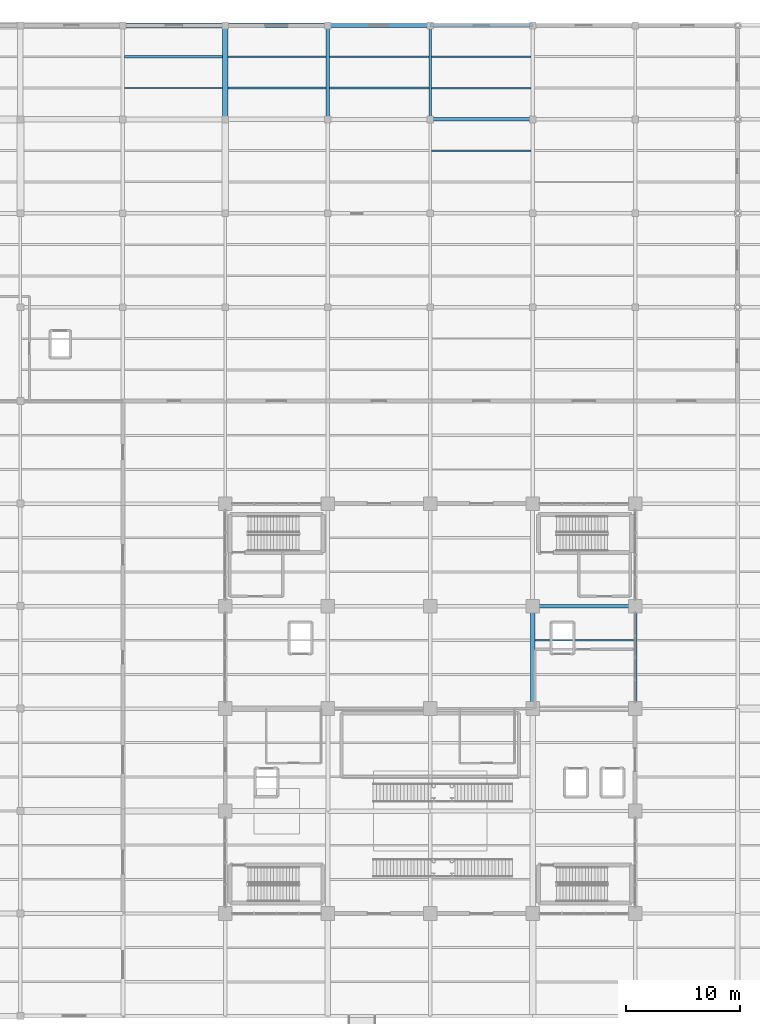
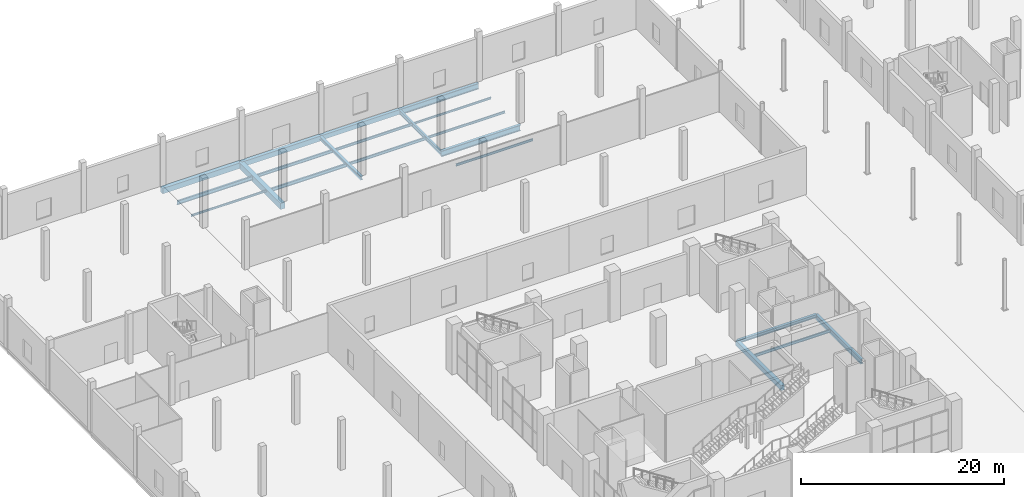
# One storey, part 61 of 144: 21 beams.
"""IFC4 building model written with IfcOpenShell, lengths in metres."""

from ifc_helpers import new_model, si_unit, direction, frame, origin, origin_2d, place, context, subcontext, project, spatial, rectangle, i_section, extrude, material, material_profile, profile_set, type_object, element, save


model = new_model("IFC4")

# Units and contexts
model_context = context("Model", 3, precision=1e-05, world=origin(), true_north=direction((0.0, 1.0)))
body_context = subcontext(model_context, "Body", "Model", "MODEL_VIEW")
ifc_project = project(units=[si_unit("LENGTHUNIT", "METRE"), si_unit("AREAUNIT", "SQUARE_METRE"), si_unit("VOLUMEUNIT", "CUBIC_METRE"), si_unit("PLANEANGLEUNIT", "RADIAN"), si_unit("MASSUNIT", "GRAM", prefix="KILO")], contexts=[model_context])

# Site, building, storey
site_placement = place(None, origin())
site = spatial("IfcSite", under=ifc_project, at=site_placement, CompositionType="ELEMENT")
building_placement = place(site_placement, origin())
building = spatial("IfcBuilding", under=site, at=building_placement, Name="Sundgate Opera House", CompositionType="ELEMENT")
storey_placement = place(building_placement, origin())
storey = spatial("IfcBuildingStorey", under=building, at=storey_placement, Name="L00", CompositionType="ELEMENT", Elevation=0.0)

# Beams
ifc_material_1 = material(Name="Steel S355J2", Category="steel")
ifc_material_profile_1 = material_profile(ifc_material_1, i_section(OverallWidth=0.300048828125, OverallDepth=0.389892578125, WebThickness=0.010986328125, FlangeThickness=0.01904296875, at=origin_2d()), Name="HEA 400")
ifc_profile_set_1 = profile_set([ifc_material_profile_1], Name="Steel S355J2")
beam_type_1 = type_object("IfcBeamType", Name="BM-GR-HEA400", PredefinedType="BEAM", material=ifc_profile_set_1)
beam_1_placement = place(storey_placement, frame((63.0, 69.0, -0.514892578125), z_axis=(1.0, 0.0, 0.0), x_axis=(0.0, 1.0, 0.0)))
element("IfcBeam", 1, at=beam_1_placement, inside=storey, type_object=beam_type_1, Name="L00 Primary E-W Girder B0465", PredefinedType="BEAM", context=body_context, shape_type="SweptSolid", body=[
    extrude(i_section(OverallWidth=0.300048828125, OverallDepth=0.389892578125, WebThickness=0.010986328125, FlangeThickness=0.01904296875, at=origin_2d()), origin(), (0.0, 0.0, 1.0), 9.0),
])
ifc_material_2 = material(Name="Steel S355J2", Category="steel")
ifc_material_profile_2 = material_profile(ifc_material_2, i_section(OverallWidth=0.300048828125, OverallDepth=0.590087890625, WebThickness=0.012939453125, FlangeThickness=0.02490234375, at=origin_2d()), Name="HEA 600")
ifc_profile_set_2 = profile_set([ifc_material_profile_2], Name="Steel S355J2")
beam_type_2 = type_object("IfcBeamType", Name="BM-GR-HEA600", PredefinedType="BEAM", material=ifc_profile_set_2)
beam_2_placement = place(storey_placement, frame((72.0, 60.0, -0.614990234375), z_axis=(0.0, 1.0, 0.0), x_axis=(-1.0, 0.0, 0.0)))
element("IfcBeam", 2, at=beam_2_placement, inside=storey, type_object=beam_type_2, Name="L00 Primary N-S Girder B0155", PredefinedType="BEAM", context=body_context, shape_type="SweptSolid", body=[
    extrude(i_section(OverallWidth=0.300048828125, OverallDepth=0.590087890625, WebThickness=0.012939453125, FlangeThickness=0.02490234375, at=origin_2d()), origin(), (0.0, 0.0, 1.0), 9.0),
])
ifc_material_3 = material(Name="Steel S355J2", Category="steel")
ifc_material_profile_3 = material_profile(ifc_material_3, i_section(OverallWidth=0.300048828125, OverallDepth=0.39990234375, WebThickness=0.013427734375, FlangeThickness=0.02392578125, at=origin_2d()), Name="HEB 400")
ifc_profile_set_3 = profile_set([ifc_material_profile_3], Name="Steel S355J2")
beam_type_3 = type_object("IfcBeamType", Name="BM-GR-HEB400", PredefinedType="BEAM", material=ifc_profile_set_3)
beam_3_placement = place(storey_placement, frame((45.0, 111.75, -0.52001953125), z_axis=(0.0, 1.0, 0.0), x_axis=(-1.0, 0.0, 0.0)))
element("IfcBeam", 3, at=beam_3_placement, inside=storey, type_object=beam_type_3, Name="L00 Primary N-S Girder B0131", PredefinedType="BEAM", context=body_context, shape_type="SweptSolid", body=[
    extrude(i_section(OverallWidth=0.300048828125, OverallDepth=0.39990234375, WebThickness=0.013427734375, FlangeThickness=0.02392578125, at=origin_2d()), origin(), (0.0, 0.0, 1.0), 8.25),
])
ifc_material_4 = material(Name="Steel S355J2", Category="steel")
ifc_material_profile_4 = material_profile(ifc_material_4, i_section(OverallWidth=0.300048828125, OverallDepth=0.699951171875, WebThickness=0.01708984375, FlangeThickness=0.031982421875, at=origin_2d()), Name="HEB 700")
ifc_profile_set_4 = profile_set([ifc_material_profile_4], Name="Steel S355J2")
beam_type_4 = type_object("IfcBeamType", Name="BM-GR-HEB700", PredefinedType="BEAM", material=ifc_profile_set_4)
for number, where, z_axis, x_axis, name in (
    (4, (54.0, 111.75, -0.669921875), (1.0, 0.0, 0.0), (0.0, 1.0, 0.0), "L00 Primary E-W Girder B0564"),
    (5, (54.0, 120.0, -0.669921875), (1.0, 0.0, 0.0), (0.0, 1.0, 0.0), "L00 Primary E-W Girder B0586"),
):
    element("IfcBeam", number, at=place(storey_placement, frame(where, z_axis=z_axis, x_axis=x_axis)), inside=storey, type_object=beam_type_4, Name=name, PredefinedType="BEAM", context=body_context, shape_type="SweptSolid", body=[
        extrude(i_section(OverallWidth=0.300048828125, OverallDepth=0.699951171875, WebThickness=0.01708984375, FlangeThickness=0.031982421875, at=origin_2d()), origin(), (0.0, 0.0, 1.0), 9.0),
    ])
ifc_material_5 = material(Name="Steel S355J2", Category="steel")
ifc_material_profile_5 = material_profile(ifc_material_5, i_section(OverallWidth=0.199951171875, OverallDepth=0.5, WebThickness=0.01025390625, FlangeThickness=0.01611328125, at=origin_2d()), Name="IPE 500")
ifc_profile_set_5 = profile_set([ifc_material_profile_5], Name="Steel S355J2")
beam_type_5 = type_object("IfcBeamType", Name="BM-GR-IPE500", PredefinedType="BEAM", material=ifc_profile_set_5)
beam_4_placement = place(storey_placement, frame((54.0, 111.75, -0.570068359375), z_axis=(0.0, 1.0, 0.0), x_axis=(-1.0, 0.0, 0.0)))
element("IfcBeam", 6, at=beam_4_placement, inside=storey, type_object=beam_type_5, Name="L00 Primary N-S Girder B0141", PredefinedType="BEAM", context=body_context, shape_type="SweptSolid", body=[
    extrude(i_section(OverallWidth=0.199951171875, OverallDepth=0.5, WebThickness=0.01025390625, FlangeThickness=0.01611328125, at=origin_2d()), origin(), (0.0, 0.0, 1.0), 8.25),
])
ifc_material_6 = material(Name="Steel S355J2", Category="steel")
ifc_material_profile_6 = material_profile(ifc_material_6, i_section(OverallWidth=0.1201171875, OverallDepth=0.239990234375, WebThickness=0.006103515625, FlangeThickness=0.009765625, at=origin_2d()), Name="IPE 240")
ifc_profile_set_6 = profile_set([ifc_material_profile_6], Name="Steel S355J2")
beam_type_6 = type_object("IfcBeamType", Name="BM-JS-IPE240", PredefinedType="JOIST", material=ifc_profile_set_6)
beam_5_placement = place(storey_placement, frame((27.14990234375, 114.5, -0.43994140625), z_axis=(1.0, 0.0, 0.0), x_axis=(0.0, 1.0, 0.0)))
element("IfcBeam", 7, at=beam_5_placement, inside=storey, type_object=beam_type_6, Name="L00 Secondary Floor Joist B1028", PredefinedType="JOIST", context=body_context, shape_type="SweptSolid", body=[
    extrude(i_section(OverallWidth=0.1201171875, OverallDepth=0.239990234375, WebThickness=0.006103515625, FlangeThickness=0.009765625, at=origin_2d()), origin(), (0.0, 0.0, 1.0), 8.60009765625),
])
beam_6_placement = place(storey_placement, frame((54.10009765625, 117.25, -0.43994140625), z_axis=(1.0, 0.0, 0.0), x_axis=(0.0, 1.0, 0.0)))
element("IfcBeam", 8, at=beam_6_placement, inside=storey, type_object=beam_type_6, Name="L00 Secondary Floor Joist B1035", PredefinedType="JOIST", context=body_context, shape_type="SweptSolid", body=[
    extrude(i_section(OverallWidth=0.1201171875, OverallDepth=0.239990234375, WebThickness=0.006103515625, FlangeThickness=0.009765625, at=origin_2d()), origin(), (0.0, 0.0, 1.0), 8.75),
])
ifc_material_7 = material(Name="Steel S355J2", Category="steel")
ifc_material_profile_7 = material_profile(ifc_material_7, i_section(OverallWidth=0.135009765625, OverallDepth=0.27001953125, WebThickness=0.006591796875, FlangeThickness=0.01025390625, at=origin_2d()), Name="IPE 270")
ifc_profile_set_7 = profile_set([ifc_material_profile_7], Name="Steel S355J2")
beam_type_7 = type_object("IfcBeamType", Name="BM-JS-IPE270", PredefinedType="JOIST", material=ifc_profile_set_7)
beam_7_placement = place(storey_placement, frame((54.10498046875, 109.0, -0.455078125), z_axis=(1.0, 0.0, 0.0), x_axis=(0.0, 1.0, 0.0)))
element("IfcBeam", 9, at=beam_7_placement, inside=storey, type_object=beam_type_7, Name="L00 Secondary Floor Joist B0999", PredefinedType="JOIST", context=body_context, shape_type="SweptSolid", body=[
    extrude(i_section(OverallWidth=0.135009765625, OverallDepth=0.27001953125, WebThickness=0.006591796875, FlangeThickness=0.01025390625, at=origin_2d()), origin(), (0.0, 0.0, 1.0), 8.7451171875),
])
beam_8_placement = place(storey_placement, frame((54.10009765625, 114.5, -0.455078125), z_axis=(1.0, 0.0, 0.0), x_axis=(0.0, 1.0, 0.0)))
element("IfcBeam", 10, at=beam_8_placement, inside=storey, type_object=beam_type_7, Name="L00 Secondary Floor Joist B1034", PredefinedType="JOIST", context=body_context, shape_type="SweptSolid", body=[
    extrude(i_section(OverallWidth=0.135009765625, OverallDepth=0.27001953125, WebThickness=0.006591796875, FlangeThickness=0.01025390625, at=origin_2d()), origin(), (0.0, 0.0, 1.0), 8.75),
])
ifc_material_8 = material(Name="Steel S355J2", Category="steel")
ifc_material_profile_8 = material_profile(ifc_material_8, i_section(OverallWidth=0.14990234375, OverallDepth=0.300048828125, WebThickness=0.007080078125, FlangeThickness=0.0107421875, at=origin_2d()), Name="IPE 300")
ifc_profile_set_8 = profile_set([ifc_material_profile_8], Name="Steel S355J2")
beam_type_8 = type_object("IfcBeamType", Name="BM-JS-IPE300", PredefinedType="JOIST", material=ifc_profile_set_8)
beam_9_placement = place(storey_placement, frame((45.14990234375, 117.25, -0.469970703125), z_axis=(1.0, 0.0, 0.0), x_axis=(0.0, 1.0, 0.0)))
element("IfcBeam", 11, at=beam_9_placement, inside=storey, type_object=beam_type_8, Name="L00 Secondary Floor Joist B1033", PredefinedType="JOIST", context=body_context, shape_type="SweptSolid", body=[
    extrude(i_section(OverallWidth=0.14990234375, OverallDepth=0.300048828125, WebThickness=0.007080078125, FlangeThickness=0.0107421875, at=origin_2d()), origin(), (0.0, 0.0, 1.0), 8.75),
])
ifc_material_9 = material(Name="Steel S355J2", Category="steel")
ifc_material_profile_9 = material_profile(ifc_material_9, i_section(OverallWidth=0.159912109375, OverallDepth=0.330078125, WebThickness=0.007568359375, FlangeThickness=0.011474609375, at=origin_2d()), Name="IPE 330")
ifc_profile_set_9 = profile_set([ifc_material_profile_9], Name="Steel S355J2")
beam_type_9 = type_object("IfcBeamType", Name="BM-JS-IPE330", PredefinedType="JOIST", material=ifc_profile_set_9)
beam_10_placement = place(storey_placement, frame((63.199951171875, 66.0, -0.485107421875), z_axis=(1.0, 0.0, 0.0), x_axis=(0.0, 1.0, 0.0)))
element("IfcBeam", 12, at=beam_10_placement, inside=storey, type_object=beam_type_9, Name="L00 Secondary Floor Joist B0815", PredefinedType="JOIST", context=body_context, shape_type="SweptSolid", body=[
    extrude(i_section(OverallWidth=0.159912109375, OverallDepth=0.330078125, WebThickness=0.007568359375, FlangeThickness=0.011474609375, at=origin_2d()), origin(), (0.0, 0.0, 1.0), 8.650146484375),
])
beam_11_placement = place(storey_placement, frame((45.14990234375, 114.5, -0.485107421875), z_axis=(1.0, 0.0, 0.0), x_axis=(0.0, 1.0, 0.0)))
element("IfcBeam", 13, at=beam_11_placement, inside=storey, type_object=beam_type_9, Name="L00 Secondary Floor Joist B1032", PredefinedType="JOIST", context=body_context, shape_type="SweptSolid", body=[
    extrude(i_section(OverallWidth=0.159912109375, OverallDepth=0.330078125, WebThickness=0.007568359375, FlangeThickness=0.011474609375, at=origin_2d()), origin(), (0.0, 0.0, 1.0), 8.75),
])
ifc_material_10 = material(Name="Steel S355J2", Category="steel")
ifc_material_profile_10 = material_profile(ifc_material_10, i_section(OverallWidth=0.169921875, OverallDepth=0.360107421875, WebThickness=0.008056640625, FlangeThickness=0.0126953125, at=origin_2d()), Name="IPE 360")
ifc_profile_set_10 = profile_set([ifc_material_profile_10], Name="Steel S355J2")
beam_type_10 = type_object("IfcBeamType", Name="BM-JS-IPE360", PredefinedType="JOIST", material=ifc_profile_set_10)
beam_12_placement = place(storey_placement, frame((36.25, 117.25, -0.5), z_axis=(1.0, 0.0, 0.0), x_axis=(0.0, 1.0, 0.0)))
element("IfcBeam", 14, at=beam_12_placement, inside=storey, type_object=beam_type_10, Name="L00 Secondary Floor Joist B1031", PredefinedType="JOIST", context=body_context, shape_type="SweptSolid", body=[
    extrude(i_section(OverallWidth=0.169921875, OverallDepth=0.360107421875, WebThickness=0.008056640625, FlangeThickness=0.0126953125, at=origin_2d()), origin(), (0.0, 0.0, 1.0), 8.60009765625),
])
ifc_material_11 = material(Name="Steel S355J2", Category="steel")
ifc_material_profile_11 = material_profile(ifc_material_11, i_section(OverallWidth=0.179931640625, OverallDepth=0.39990234375, WebThickness=0.008544921875, FlangeThickness=0.013427734375, at=origin_2d()), Name="IPE 400")
ifc_profile_set_11 = profile_set([ifc_material_profile_11], Name="Steel S355J2")
beam_type_11 = type_object("IfcBeamType", Name="BM-JS-IPE400", PredefinedType="JOIST", material=ifc_profile_set_11)
beam_13_placement = place(storey_placement, frame((36.25, 114.5, -0.52001953125), z_axis=(1.0, 0.0, 0.0), x_axis=(0.0, 1.0, 0.0)))
element("IfcBeam", 15, at=beam_13_placement, inside=storey, type_object=beam_type_11, Name="L00 Secondary Floor Joist B1030", PredefinedType="JOIST", context=body_context, shape_type="SweptSolid", body=[
    extrude(i_section(OverallWidth=0.179931640625, OverallDepth=0.39990234375, WebThickness=0.008544921875, FlangeThickness=0.013427734375, at=origin_2d()), origin(), (0.0, 0.0, 1.0), 8.60009765625),
])
ifc_material_12 = material(Name="Steel S355J2", Category="steel")
ifc_material_profile_12 = material_profile(ifc_material_12, i_section(OverallWidth=0.18994140625, OverallDepth=0.449951171875, WebThickness=0.009521484375, FlangeThickness=0.0146484375, at=origin_2d()), Name="IPE 450")
ifc_profile_set_12 = profile_set([ifc_material_profile_12], Name="Steel S355J2")
beam_type_12 = type_object("IfcBeamType", Name="BM-JS-IPE450", PredefinedType="JOIST", material=ifc_profile_set_12)
beam_14_placement = place(storey_placement, frame((27.14990234375, 117.25, -0.544921875), z_axis=(1.0, 0.0, 0.0), x_axis=(0.0, 1.0, 0.0)))
element("IfcBeam", 16, at=beam_14_placement, inside=storey, type_object=beam_type_12, Name="L00 Secondary Floor Joist B1029", PredefinedType="JOIST", context=body_context, shape_type="SweptSolid", body=[
    extrude(i_section(OverallWidth=0.18994140625, OverallDepth=0.449951171875, WebThickness=0.009521484375, FlangeThickness=0.0146484375, at=origin_2d()), origin(), (0.0, 0.0, 1.0), 8.60009765625),
])
ifc_material_13 = material(Name="Concrete C35/45", Category="concrete")
ifc_material_profile_13 = material_profile(ifc_material_13, rectangle(XDim=0.35009765625, YDim=0.550048828125, at=origin_2d()), Name="RC 350x550")
ifc_profile_set_13 = profile_set([ifc_material_profile_13], Name="Concrete C35/45")
beam_type_13 = type_object("IfcBeamType", Name="BM-RC-350x550", PredefinedType="BEAM", material=ifc_profile_set_13)
beam_15_placement = place(storey_placement, frame((45.0, 120.0, -0.594970703125), z_axis=(1.0, 0.0, 0.0), x_axis=(0.0, 1.0, 0.0)))
element("IfcBeam", 17, at=beam_15_placement, inside=storey, type_object=beam_type_13, Name="L00 Primary E-W Girder B0585", PredefinedType="BEAM", context=body_context, shape_type="SweptSolid", body=[
    extrude(rectangle(XDim=0.35009765625, YDim=0.550048828125, at=origin_2d()), origin(), (0.0, 0.0, 1.0), 9.0),
])
ifc_material_14 = material(Name="Concrete C35/45", Category="concrete")
ifc_material_profile_14 = material_profile(ifc_material_14, rectangle(XDim=0.39990234375, YDim=0.60009765625, at=origin_2d()), Name="RC 400x600")
ifc_profile_set_14 = profile_set([ifc_material_profile_14], Name="Concrete C35/45")
beam_type_14 = type_object("IfcBeamType", Name="BM-RC-400x600", PredefinedType="BEAM", material=ifc_profile_set_14)
for number, where, z_axis, x_axis, name in (
    (18, (63.0, 60.0, -0.6201171875), (0.0, 1.0, 0.0), (-1.0, 0.0, 0.0), "L00 Primary N-S Girder B0145"),
    (19, (36.0, 120.0, -0.6201171875), (1.0, 0.0, 0.0), (0.0, 1.0, 0.0), "L00 Primary E-W Girder B0584"),
):
    element("IfcBeam", number, at=place(storey_placement, frame(where, z_axis=z_axis, x_axis=x_axis)), inside=storey, type_object=beam_type_14, Name=name, PredefinedType="BEAM", context=body_context, shape_type="SweptSolid", body=[
        extrude(rectangle(XDim=0.39990234375, YDim=0.60009765625, at=origin_2d()), origin(), (0.0, 0.0, 1.0), 9.0),
    ])
ifc_material_15 = material(Name="Concrete C35/45", Category="concrete")
ifc_material_profile_15 = material_profile(ifc_material_15, rectangle(XDim=0.449951171875, YDim=0.64990234375, at=origin_2d()), Name="RC 450x650")
ifc_profile_set_15 = profile_set([ifc_material_profile_15], Name="Concrete C35/45")
beam_type_15 = type_object("IfcBeamType", Name="BM-RC-450x650", PredefinedType="BEAM", material=ifc_profile_set_15)
beam_16_placement = place(storey_placement, frame((27.0, 120.0, -0.64501953125), z_axis=(1.0, 0.0, 0.0), x_axis=(0.0, 1.0, 0.0)))
element("IfcBeam", 20, at=beam_16_placement, inside=storey, type_object=beam_type_15, Name="L00 Primary E-W Girder B0583", PredefinedType="BEAM", context=body_context, shape_type="SweptSolid", body=[
    extrude(rectangle(XDim=0.449951171875, YDim=0.64990234375, at=origin_2d()), origin(), (0.0, 0.0, 1.0), 9.0),
])
ifc_material_16 = material(Name="Concrete C40/50", Category="concrete")
ifc_material_profile_16 = material_profile(ifc_material_16, rectangle(XDim=0.5, YDim=0.75, at=origin_2d()), Name="RC 500x750")
ifc_profile_set_16 = profile_set([ifc_material_profile_16], Name="Concrete C40/50")
beam_type_16 = type_object("IfcBeamType", Name="BM-RC-500x750", PredefinedType="BEAM", material=ifc_profile_set_16)
beam_17_placement = place(storey_placement, frame((36.0, 111.75, -0.695068359375), z_axis=(0.0, 1.0, 0.0), x_axis=(-1.0, 0.0, 0.0)))
element("IfcBeam", 21, at=beam_17_placement, inside=storey, type_object=beam_type_16, Name="L00 Primary N-S Girder B0121", PredefinedType="BEAM", context=body_context, shape_type="SweptSolid", body=[
    extrude(rectangle(XDim=0.5, YDim=0.75, at=origin_2d()), origin(), (0.0, 0.0, 1.0), 8.25),
])

save(model, "model.ifc")
